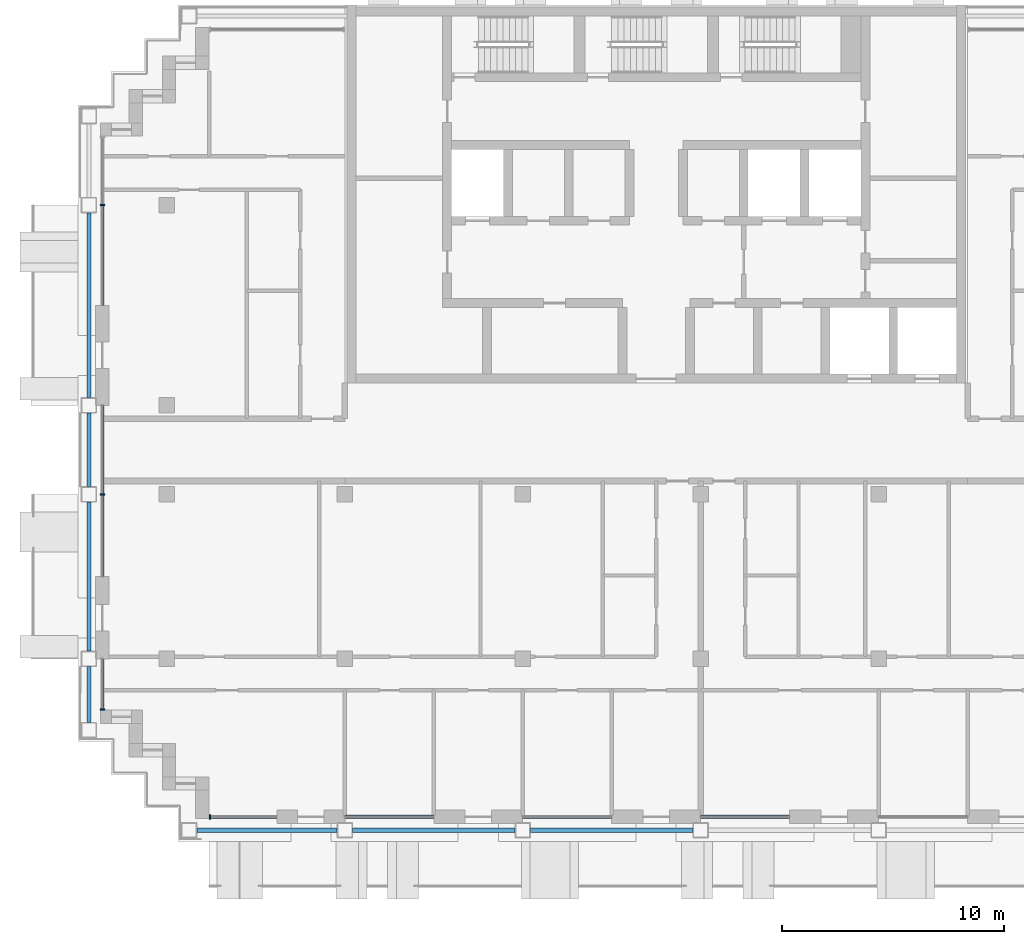
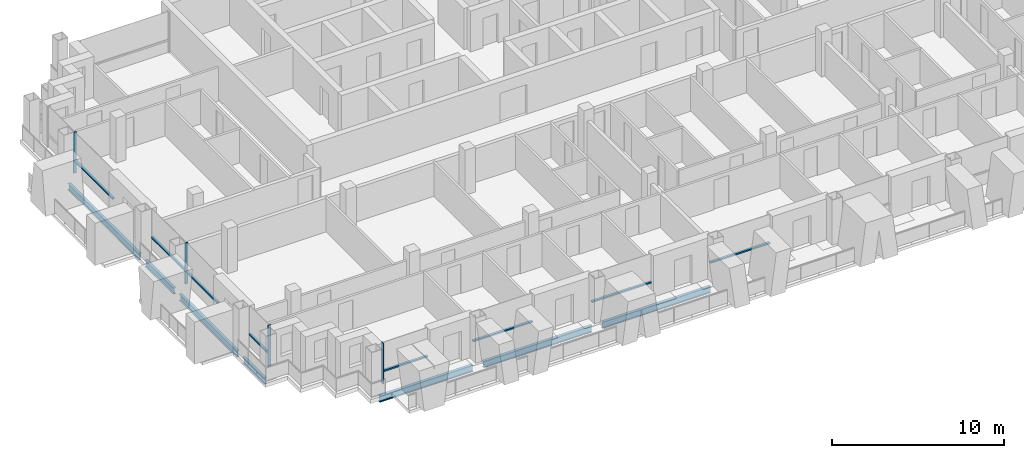
# One storey, part 2 of 16: 12 members, 7 beams, 7 elements without a shape of their own.
"""IFC4 building model written with IfcOpenShell, lengths in metres."""

from ifc_helpers import new_model, si_unit, direction, frame, origin, origin_2d, place, context, subcontext, project, spatial, rectangle, i_section, extrude, material, material_profile, profile_set, type_object, element, aggregate, save


model = new_model("IFC4")

# Units and contexts
model_context = context("Model", 3, precision=1e-05, world=origin(), true_north=direction((0.0, 1.0)))
body_context = subcontext(model_context, "Body", "Model", "MODEL_VIEW")
ifc_project = project(units=[si_unit("LENGTHUNIT", "METRE"), si_unit("AREAUNIT", "SQUARE_METRE"), si_unit("VOLUMEUNIT", "CUBIC_METRE"), si_unit("PLANEANGLEUNIT", "RADIAN"), si_unit("MASSUNIT", "GRAM", prefix="KILO")], contexts=[model_context])

# Site, building, storey
site_placement = place(None, origin())
site = spatial("IfcSite", under=ifc_project, at=site_placement, CompositionType="ELEMENT")
building_placement = place(site_placement, origin())
building = spatial("IfcBuilding", under=site, at=building_placement, Name="Vidyagriha Tower", CompositionType="ELEMENT")
storey_placement = place(building_placement, frame((0.0, 0.0, 174.89990234375)))
storey = spatial("IfcBuildingStorey", under=building, at=storey_placement, Name="L45", CompositionType="ELEMENT", Elevation=174.89990234375)

# Beams
ifc_material_1 = material(Name="Steel ASTM A992 Grade 50", Category="steel")
ifc_material_profile_1 = material_profile(ifc_material_1, i_section(OverallWidth=0.19189453125, OverallDepth=0.46240234375, WebThickness=0.010498046875, FlangeThickness=0.017578125, at=origin_2d()), Name="W18X60")
ifc_profile_set_1 = profile_set([ifc_material_profile_1], Name="Steel ASTM A992 Grade 50")
beam_type = type_object("IfcBeamType", Name="Edge beam W18X60", PredefinedType="SPANDREL", material=ifc_profile_set_1)
beam_1_placement = place(storey_placement, frame((-20.64990234375, -17.10009765625, -0.510986328125), z_axis=(1.0, 0.0, 0.0), x_axis=(0.0, 1.0, 0.0)))
element("IfcBeam", 1, at=beam_1_placement, inside=storey, type_object=beam_type, Name="st-beam-L45-S01", PredefinedType="SPANDREL", context=body_context, shape_type="SweptSolid", body=[
    extrude(i_section(OverallWidth=0.19189453125, OverallDepth=0.46240234375, WebThickness=0.010498046875, FlangeThickness=0.017578125, at=origin_2d()), origin(), (0.0, 0.0, 1.0), 6.2998046875),
])
for number, where, z_axis, x_axis, name in (
    (2, (-13.64990234375, -17.10009765625, -0.510986328125), (1.0, 0.0, 0.0), (0.0, 1.0, 0.0), "st-beam-L45-S02"),
    (3, (-5.64990234375, -17.10009765625, -0.510986328125), (1.0, 0.0, 0.0), (0.0, 1.0, 0.0), "st-beam-L45-S03"),
):
    element("IfcBeam", number, at=place(storey_placement, frame(where, z_axis=z_axis, x_axis=x_axis)), inside=storey, type_object=beam_type, Name=name, PredefinedType="SPANDREL", context=body_context, shape_type="SweptSolid", body=[
        extrude(i_section(OverallWidth=0.19189453125, OverallDepth=0.46240234375, WebThickness=0.010498046875, FlangeThickness=0.017578125, at=origin_2d()), origin(), (0.0, 0.0, 1.0), 7.2998046875),
    ])
beam_2_placement = place(storey_placement, frame((-25.5, -12.25, -0.510986328125), z_axis=(0.0, 1.0, 0.0), x_axis=(-1.0, 0.0, 0.0)))
element("IfcBeam", 4, at=beam_2_placement, inside=storey, type_object=beam_type, Name="st-beam-L45-W08", PredefinedType="SPANDREL", context=body_context, shape_type="SweptSolid", body=[
    extrude(i_section(OverallWidth=0.19189453125, OverallDepth=0.46240234375, WebThickness=0.010498046875, FlangeThickness=0.017578125, at=origin_2d()), origin(), (0.0, 0.0, 1.0), 2.5),
])
beam_3_placement = place(storey_placement, frame((-25.5, -9.050048828125, -0.510986328125), z_axis=(0.0, 1.0, 0.0), x_axis=(-1.0, 0.0, 0.0)))
element("IfcBeam", 5, at=beam_3_placement, inside=storey, type_object=beam_type, Name="st-beam-L45-W09", PredefinedType="SPANDREL", context=body_context, shape_type="SweptSolid", body=[
    extrude(i_section(OverallWidth=0.19189453125, OverallDepth=0.46240234375, WebThickness=0.010498046875, FlangeThickness=0.017578125, at=origin_2d()), origin(), (0.0, 0.0, 1.0), 6.699951171875),
])
beam_4_placement = place(storey_placement, frame((-25.5, -1.64990234375, -0.510986328125), z_axis=(0.0, 1.0, 0.0), x_axis=(-1.0, 0.0, 0.0)))
element("IfcBeam", 6, at=beam_4_placement, inside=storey, type_object=beam_type, Name="st-beam-L45-W10", PredefinedType="SPANDREL", context=body_context, shape_type="SweptSolid", body=[
    extrude(i_section(OverallWidth=0.19189453125, OverallDepth=0.46240234375, WebThickness=0.010498046875, FlangeThickness=0.017578125, at=origin_2d()), origin(), (0.0, 0.0, 1.0), 3.2998046875),
])
beam_5_placement = place(storey_placement, frame((-25.5, 2.35009765625, -0.510986328125), z_axis=(0.0, 1.0, 0.0), x_axis=(-1.0, 0.0, 0.0)))
element("IfcBeam", 7, at=beam_5_placement, inside=storey, type_object=beam_type, Name="st-beam-L45-W11", PredefinedType="SPANDREL", context=body_context, shape_type="SweptSolid", body=[
    extrude(i_section(OverallWidth=0.19189453125, OverallDepth=0.46240234375, WebThickness=0.010498046875, FlangeThickness=0.017578125, at=origin_2d()), origin(), (0.0, 0.0, 1.0), 8.2998046875),
])

# Curtain wall, member
ifc_material_2 = material(Name="Aluminium and glass curtain wall", Category="aluminium")
curtain_wall_type = type_object("IfcCurtainWallType", Name="Dwelling skin unitised curtain wall", PredefinedType="USERDEFINED", material=ifc_material_2)
curtain_wall_1_placement = place(storey_placement, origin())
curtain_wall_1 = element("IfcCurtainWall", 8, at=curtain_wall_1_placement, inside=storey, type_object=curtain_wall_type, Name="CW1 dwelling skin", ObjectType="UNITISED", PredefinedType="USERDEFINED")
ifc_material_3 = material(Name="Aluminium black anodised", Category="aluminium")
ifc_material_profile_2 = material_profile(ifc_material_3, rectangle(XDim=0.199951171875, YDim=0.070068359375, at=origin_2d()), Name="Mullion 70x200 black aluminium")
ifc_profile_set_2 = profile_set([ifc_material_profile_2], Name="Aluminium black anodised")
member_type_1 = type_object("IfcMemberType", Name="Mullion 70x200 black aluminium", PredefinedType="MULLION", material=ifc_profile_set_2)
member_1_placement = place(storey_placement, frame((-24.89990234375, 11.0, 0.0)))
member_1 = element("IfcMember", 9, at=member_1_placement, type_object=member_type_1, Name="CW1 mullion 2", PredefinedType="MULLION", context=body_context, shape_type="SweptSolid", body=[
    extrude(rectangle(XDim=0.199951171875, YDim=0.070068359375, at=origin_2d()), origin(), (0.0, 0.0, 1.0), 2.920166015625),
])

curtain_wall_2_placement = place(storey_placement, origin())
curtain_wall_2 = element("IfcCurtainWall", 10, at=curtain_wall_2_placement, inside=storey, type_object=curtain_wall_type, Name="CW1 dwelling skin", ObjectType="UNITISED", PredefinedType="USERDEFINED")
member_2_placement = place(storey_placement, frame((-24.89990234375, -2.0, 0.0)))
member_2 = element("IfcMember", 11, at=member_2_placement, type_object=member_type_1, Name="CW1 mullion 2", PredefinedType="MULLION", context=body_context, shape_type="SweptSolid", body=[
    extrude(rectangle(XDim=0.199951171875, YDim=0.070068359375, at=origin_2d()), origin(), (0.0, 0.0, 1.0), 2.920166015625),
])

curtain_wall_3_placement = place(storey_placement, origin())
curtain_wall_3 = element("IfcCurtainWall", 12, at=curtain_wall_3_placement, inside=storey, type_object=curtain_wall_type, Name="CW1 dwelling skin", ObjectType="UNITISED", PredefinedType="USERDEFINED")
member_3_placement = place(storey_placement, frame((-24.89990234375, -11.6650390625, 0.0)))
member_3 = element("IfcMember", 13, at=member_3_placement, type_object=member_type_1, Name="CW1 mullion 2", PredefinedType="MULLION", context=body_context, shape_type="SweptSolid", body=[
    extrude(rectangle(XDim=0.199951171875, YDim=0.070068359375, at=origin_2d()), origin(), (0.0, 0.0, 1.0), 2.920166015625),
])

curtain_wall_4_placement = place(storey_placement, origin())
curtain_wall_4 = element("IfcCurtainWall", 14, at=curtain_wall_4_placement, inside=storey, type_object=curtain_wall_type, Name="CW1 dwelling skin", ObjectType="UNITISED", PredefinedType="USERDEFINED")
member_4_placement = place(storey_placement, frame((-20.06494140625, -16.5, 0.0), z_axis=(0.0, 0.0, 1.0), x_axis=(0.0, 1.0, 0.0)))
member_4 = element("IfcMember", 15, at=member_4_placement, type_object=member_type_1, Name="CW1 mullion 1", PredefinedType="MULLION", context=body_context, shape_type="SweptSolid", body=[
    extrude(rectangle(XDim=0.199951171875, YDim=0.070068359375, at=origin_2d()), origin(), (0.0, 0.0, 1.0), 2.920166015625),
])

# Member
ifc_material_4 = material(Name="Aluminium black anodised", Category="aluminium")
ifc_material_profile_3 = material_profile(ifc_material_4, rectangle(XDim=0.159912109375, YDim=0.10009765625, at=origin_2d()), Name="Transom 100x160 black aluminium")
ifc_profile_set_3 = profile_set([ifc_material_profile_3], Name="Aluminium black anodised")
member_type_2 = type_object("IfcMemberType", Name="Transom 100x160 black aluminium", PredefinedType="USERDEFINED", material=ifc_profile_set_3)
member_5_placement = place(storey_placement, frame((-24.89990234375, 10.965087890625, 0.900146484375), z_axis=(0.0, -1.0, 0.0), x_axis=(1.0, 0.0, 0.0)))
member_5 = element("IfcMember", 16, at=member_5_placement, type_object=member_type_2, Name="CW1 transom 2.1", ObjectType="TRANSOM", PredefinedType="USERDEFINED", context=body_context, shape_type="SweptSolid", body=[
    extrude(rectangle(XDim=0.159912109375, YDim=0.10009765625, at=origin_2d()), origin(), (0.0, 0.0, 1.0), 4.465087890625),
])

aggregate(curtain_wall_1, [member_1, member_5])

member_6_placement = place(storey_placement, frame((-24.89990234375, 2.0, 0.900146484375), z_axis=(0.0, -1.0, 0.0), x_axis=(1.0, 0.0, 0.0)))
member_6 = element("IfcMember", 17, at=member_6_placement, type_object=member_type_2, Name="CW1 transom 1.1", ObjectType="TRANSOM", PredefinedType="USERDEFINED", context=body_context, shape_type="SweptSolid", body=[
    extrude(rectangle(XDim=0.159912109375, YDim=0.10009765625, at=origin_2d()), origin(), (0.0, 0.0, 1.0), 3.965087890625),
])

member_7_placement = place(storey_placement, frame((-24.89990234375, -2.034912109375, 0.900146484375), z_axis=(0.0, -1.0, 0.0), x_axis=(1.0, 0.0, 0.0)))
member_7 = element("IfcMember", 18, at=member_7_placement, type_object=member_type_2, Name="CW1 transom 2.1", ObjectType="TRANSOM", PredefinedType="USERDEFINED", context=body_context, shape_type="SweptSolid", body=[
    extrude(rectangle(XDim=0.159912109375, YDim=0.10009765625, at=origin_2d()), origin(), (0.0, 0.0, 1.0), 3.6650390625),
])

aggregate(curtain_wall_2, [member_2, member_6, member_7])

member_8_placement = place(storey_placement, frame((-24.89990234375, -9.39990234375, 0.900146484375), z_axis=(0.0, -1.0, 0.0), x_axis=(1.0, 0.0, 0.0)))
member_8 = element("IfcMember", 19, at=member_8_placement, type_object=member_type_2, Name="CW1 transom 1.1", ObjectType="TRANSOM", PredefinedType="USERDEFINED", context=body_context, shape_type="SweptSolid", body=[
    extrude(rectangle(XDim=0.159912109375, YDim=0.10009765625, at=origin_2d()), origin(), (0.0, 0.0, 1.0), 2.22998046875),
])

aggregate(curtain_wall_3, [member_3, member_8])

member_9_placement = place(storey_placement, frame((-20.030029296875, -16.5, 0.900146484375), z_axis=(1.0, 0.0, 0.0), x_axis=(0.0, 1.0, 0.0)))
member_9 = element("IfcMember", 20, at=member_9_placement, type_object=member_type_2, Name="CW1 transom 1.1", ObjectType="TRANSOM", PredefinedType="USERDEFINED", context=body_context, shape_type="SweptSolid", body=[
    extrude(rectangle(XDim=0.159912109375, YDim=0.10009765625, at=origin_2d()), origin(), (0.0, 0.0, 1.0), 2.97998046875),
])

aggregate(curtain_wall_4, [member_4, member_9])

# Curtain wall, member
curtain_wall_5_placement = place(storey_placement, origin())
curtain_wall_5 = element("IfcCurtainWall", 21, at=curtain_wall_5_placement, inside=storey, type_object=curtain_wall_type, Name="CW1 dwelling skin", ObjectType="UNITISED", PredefinedType="USERDEFINED")
member_10_placement = place(storey_placement, frame((-14.0, -16.5, 0.900146484375), z_axis=(1.0, 0.0, 0.0), x_axis=(0.0, 1.0, 0.0)))
member_10 = element("IfcMember", 22, at=member_10_placement, type_object=member_type_2, Name="CW1 transom 1.1", ObjectType="TRANSOM", PredefinedType="USERDEFINED", context=body_context, shape_type="SweptSolid", body=[
    extrude(rectangle(XDim=0.159912109375, YDim=0.10009765625, at=origin_2d()), origin(), (0.0, 0.0, 1.0), 4.0),
])
aggregate(curtain_wall_5, [member_10])

curtain_wall_6_placement = place(storey_placement, origin())
curtain_wall_6 = element("IfcCurtainWall", 23, at=curtain_wall_6_placement, inside=storey, type_object=curtain_wall_type, Name="CW1 dwelling skin", ObjectType="UNITISED", PredefinedType="USERDEFINED")
member_11_placement = place(storey_placement, frame((-6.0, -16.5, 0.900146484375), z_axis=(1.0, 0.0, 0.0), x_axis=(0.0, 1.0, 0.0)))
member_11 = element("IfcMember", 24, at=member_11_placement, type_object=member_type_2, Name="CW1 transom 1.1", ObjectType="TRANSOM", PredefinedType="USERDEFINED", context=body_context, shape_type="SweptSolid", body=[
    extrude(rectangle(XDim=0.159912109375, YDim=0.10009765625, at=origin_2d()), origin(), (0.0, 0.0, 1.0), 4.0),
])
aggregate(curtain_wall_6, [member_11])

curtain_wall_7_placement = place(storey_placement, origin())
curtain_wall_7 = element("IfcCurtainWall", 25, at=curtain_wall_7_placement, inside=storey, type_object=curtain_wall_type, Name="CW1 dwelling skin", ObjectType="UNITISED", PredefinedType="USERDEFINED")
member_12_placement = place(storey_placement, frame((2.0, -16.5, 0.900146484375), z_axis=(1.0, 0.0, 0.0), x_axis=(0.0, 1.0, 0.0)))
member_12 = element("IfcMember", 26, at=member_12_placement, type_object=member_type_2, Name="CW1 transom 1.1", ObjectType="TRANSOM", PredefinedType="USERDEFINED", context=body_context, shape_type="SweptSolid", body=[
    extrude(rectangle(XDim=0.159912109375, YDim=0.10009765625, at=origin_2d()), origin(), (0.0, 0.0, 1.0), 4.0),
])
aggregate(curtain_wall_7, [member_12])

save(model, "model.ifc")
